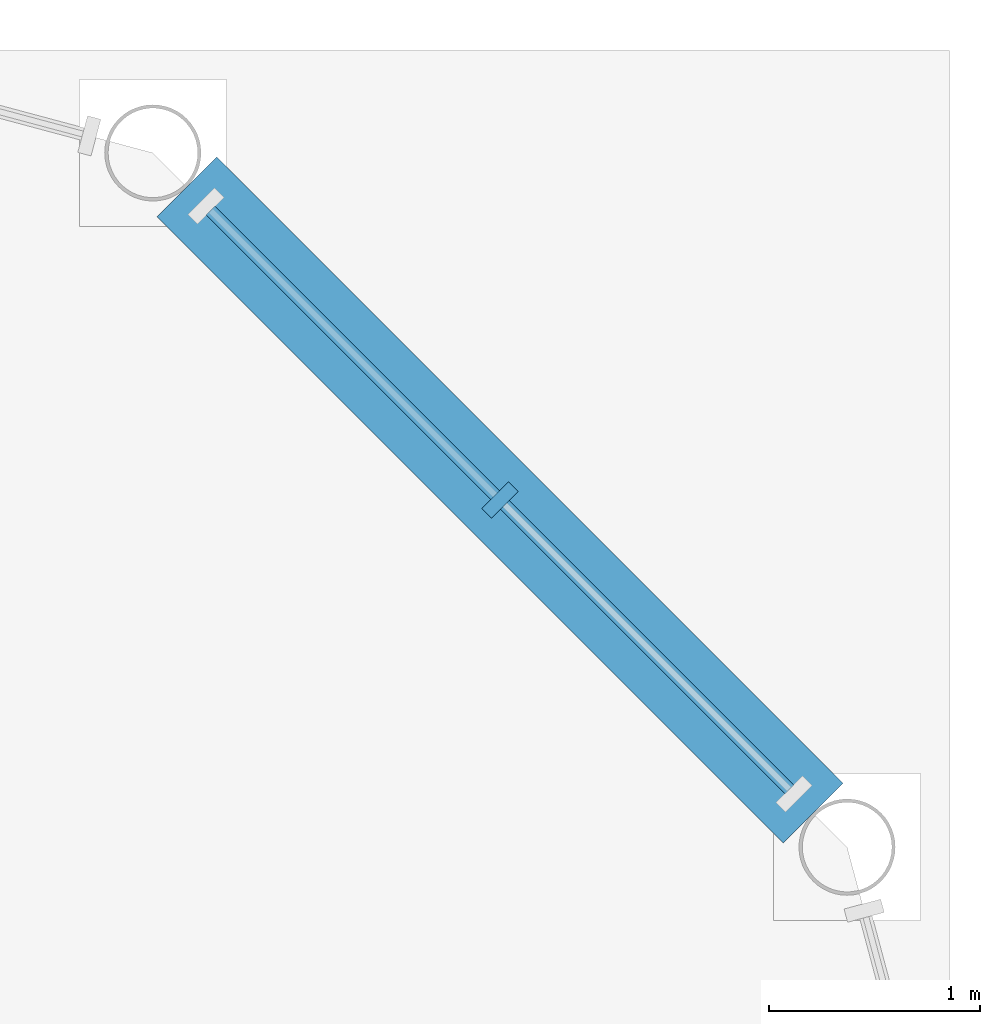
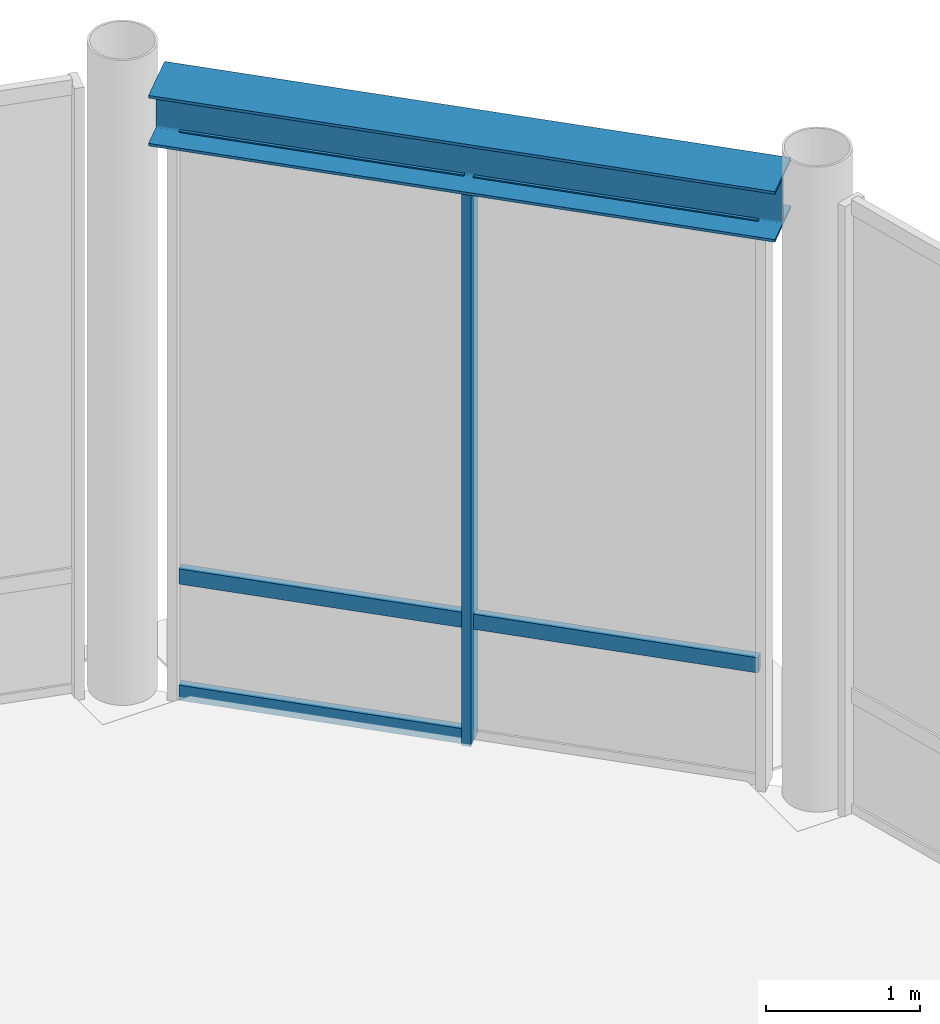
# One storey, part 63 of 123: 6 members, 1 beam, 1 element without a shape of its own.
"""IFC4 building model written with IfcOpenShell, lengths in metres."""

from ifc_helpers import new_model, si_unit, direction, frame, origin, origin_2d, place, context, subcontext, project, spatial, rectangle, i_section, extrude, material, material_profile, profile_set, type_object, element, aggregate, save


model = new_model("IFC4")

# Units and contexts
model_context = context("Model", 3, precision=1e-05, world=origin(), true_north=direction((0.0, 1.0)))
body_context = subcontext(model_context, "Body", "Model", "MODEL_VIEW")
ifc_project = project(units=[si_unit("LENGTHUNIT", "METRE"), si_unit("AREAUNIT", "SQUARE_METRE"), si_unit("VOLUMEUNIT", "CUBIC_METRE"), si_unit("PLANEANGLEUNIT", "RADIAN"), si_unit("MASSUNIT", "GRAM", prefix="KILO")], contexts=[model_context])

# Site, building, storey
site_placement = place(None, origin())
site = spatial("IfcSite", under=ifc_project, at=site_placement, CompositionType="ELEMENT")
building_placement = place(site_placement, origin())
building = spatial("IfcBuilding", under=site, at=building_placement, Name="Suzunagisa Mobility Hub", CompositionType="ELEMENT")
storey_placement = place(building_placement, origin())
storey = spatial("IfcBuildingStorey", under=building, at=storey_placement, Name="L00", CompositionType="ELEMENT", Elevation=0.0)

# Curtain wall, members
ifc_material_1 = material(Name="Thermally Broken Anodized Aluminum and Low-E Glazing", Category="aluminium")
curtain_wall_type = type_object("IfcCurtainWallType", Name="Unitised Curtain Wall CW-26 4000x4400", PredefinedType="USERDEFINED", material=ifc_material_1)
curtain_wall_placement = place(storey_placement, origin())
curtain_wall = element("IfcCurtainWall", 1, at=curtain_wall_placement, inside=storey, type_object=curtain_wall_type, Name="L00 Unitised Curtain Wall CW-177", ObjectType="UNITISED CURTAIN WALL", PredefinedType="USERDEFINED")
ifc_material_2 = material(Name="Anodized Aluminum 6063-T6", Category="aluminium")
ifc_material_profile_1 = material_profile(ifc_material_2, rectangle(XDim=0.06005859375, YDim=0.1201171875, at=origin_2d()), Name="TRAN-60x120")
ifc_profile_set_1 = profile_set([ifc_material_profile_1], Name="Anodized Aluminum 6063-T6")
member_type_1 = type_object("IfcMemberType", Name="Curtain Wall Framing CM-02 TRAN-60x120", PredefinedType="USERDEFINED", material=ifc_profile_set_1)
member_1_placement = place(storey_placement, frame((178.52099609375, 103.773193359375, 0.949951171875), z_axis=(-0.707106781187, 0.707106781187, 0.0), x_axis=(-0.707106781187, -0.707106781187, 0.0)))
member_1 = element("IfcMember", 2, at=member_1_placement, type_object=member_type_1, Name="Curtain Wall Transom 177-T1.2", ObjectType="TRANSOM", PredefinedType="USERDEFINED", context=body_context, shape_type="SweptSolid", body=[
    extrude(rectangle(XDim=0.06005859375, YDim=0.1201171875, at=origin_2d()), origin(), (0.0, 0.0, 1.0), 1.912353515625),
])
member_2_placement = place(storey_placement, frame((178.52099609375, 103.773193359375, 4.409912109375), z_axis=(-0.707106781187, 0.707106781187, 0.0), x_axis=(-0.707106781187, -0.707106781187, 0.0)))
member_2 = element("IfcMember", 3, at=member_2_placement, type_object=member_type_1, Name="Curtain Wall Transom 177-T1.3", ObjectType="TRANSOM", PredefinedType="USERDEFINED", context=body_context, shape_type="SweptSolid", body=[
    extrude(rectangle(XDim=0.06005859375, YDim=0.1201171875, at=origin_2d()), origin(), (0.0, 0.0, 1.0), 1.912353515625),
])
member_3_placement = place(storey_placement, frame((177.12548828125, 105.168701171875, 0.030029296875), z_axis=(-0.707106781187, 0.707106781187, 0.0), x_axis=(-0.707106781187, -0.707106781187, 0.0)))
member_3 = element("IfcMember", 4, at=member_3_placement, type_object=member_type_1, Name="Curtain Wall Transom 177-T2.1", ObjectType="TRANSOM", PredefinedType="USERDEFINED", context=body_context, shape_type="SweptSolid", body=[
    extrude(rectangle(XDim=0.06005859375, YDim=0.1201171875, at=origin_2d()), origin(), (0.0, 0.0, 1.0), 1.912353515625),
])
member_4_placement = place(storey_placement, frame((177.12548828125, 105.168701171875, 0.949951171875), z_axis=(-0.707106781187, 0.707106781187, 0.0), x_axis=(-0.707106781187, -0.707106781187, 0.0)))
member_4 = element("IfcMember", 5, at=member_4_placement, type_object=member_type_1, Name="Curtain Wall Transom 177-T2.2", ObjectType="TRANSOM", PredefinedType="USERDEFINED", context=body_context, shape_type="SweptSolid", body=[
    extrude(rectangle(XDim=0.06005859375, YDim=0.1201171875, at=origin_2d()), origin(), (0.0, 0.0, 1.0), 1.912353515625),
])
member_5_placement = place(storey_placement, frame((177.12548828125, 105.168701171875, 4.409912109375), z_axis=(-0.707106781187, 0.707106781187, 0.0), x_axis=(-0.707106781187, -0.707106781187, 0.0)))
member_5 = element("IfcMember", 6, at=member_5_placement, type_object=member_type_1, Name="Curtain Wall Transom 177-T2.3", ObjectType="TRANSOM", PredefinedType="USERDEFINED", context=body_context, shape_type="SweptSolid", body=[
    extrude(rectangle(XDim=0.06005859375, YDim=0.1201171875, at=origin_2d()), origin(), (0.0, 0.0, 1.0), 1.912353515625),
])
ifc_material_profile_2 = material_profile(ifc_material_2, rectangle(XDim=0.06494140625, YDim=0.179931640625, at=origin_2d()), Name="MULL-65x180")
ifc_profile_set_2 = profile_set([ifc_material_profile_2], Name="Anodized Aluminum 6063-T6")
member_type_2 = type_object("IfcMemberType", Name="Curtain Wall Framing CM-04 MULL-65x180", PredefinedType="MULLION", material=ifc_profile_set_2)
member_6_placement = place(storey_placement, frame((177.147216796875, 105.147216796875, 0.0), z_axis=(0.0, 0.0, 1.0), x_axis=(-0.707106781187, 0.707106781187, 0.0)))
member_6 = element("IfcMember", 7, at=member_6_placement, type_object=member_type_2, Name="Curtain Wall Mullion 177-M2", PredefinedType="MULLION", context=body_context, shape_type="SweptSolid", body=[
    extrude(rectangle(XDim=0.06494140625, YDim=0.179931640625, at=origin_2d()), origin(), (0.0, 0.0, 1.0), 4.43994140625),
])
aggregate(curtain_wall, [member_6, member_1, member_2, member_3, member_4, member_5])

# Beam
ifc_material_3 = material(Name="Steel SN490B", Category="steel")
ifc_material_profile_3 = material_profile(ifc_material_3, i_section(OverallWidth=0.39990234375, OverallDepth=0.39990234375, WebThickness=0.012939453125, FlangeThickness=0.02099609375, FilletRadius=0.01611328125, at=origin_2d()), Name="H-400x400x13x21")
ifc_profile_set_3 = profile_set([ifc_material_profile_3], Name="Steel SN490B")
beam_type = type_object("IfcBeamType", Name="Steel Beam BM-12 H-400x400x13x21", PredefinedType="SPANDREL", material=ifc_profile_set_3)
beam_placement = place(storey_placement, frame((178.632568359375, 103.66162109375, 4.639892578125), z_axis=(-0.707106781187, 0.707106781187, 0.0), x_axis=(-0.707106781187, -0.707106781187, 0.0)))
element("IfcBeam", 8, at=beam_placement, inside=storey, type_object=beam_type, Name="L00 Streamline Prow Spandrel 1771", PredefinedType="SPANDREL", context=body_context, shape_type="SweptSolid", body=[
    extrude(i_section(OverallWidth=0.39990234375, OverallDepth=0.39990234375, WebThickness=0.012939453125, FlangeThickness=0.02099609375, FilletRadius=0.01611328125, at=origin_2d()), origin(), (0.0, 0.0, 1.0), 4.20166015625),
])

save(model, "model.ifc")
